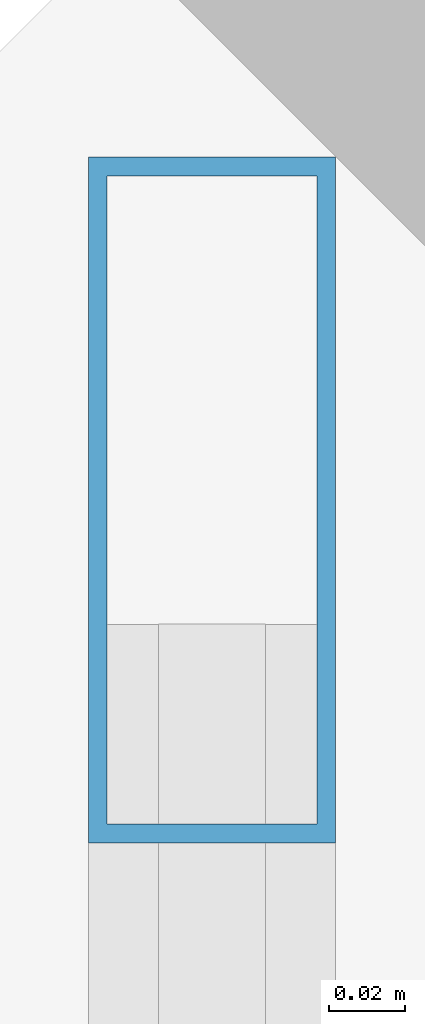
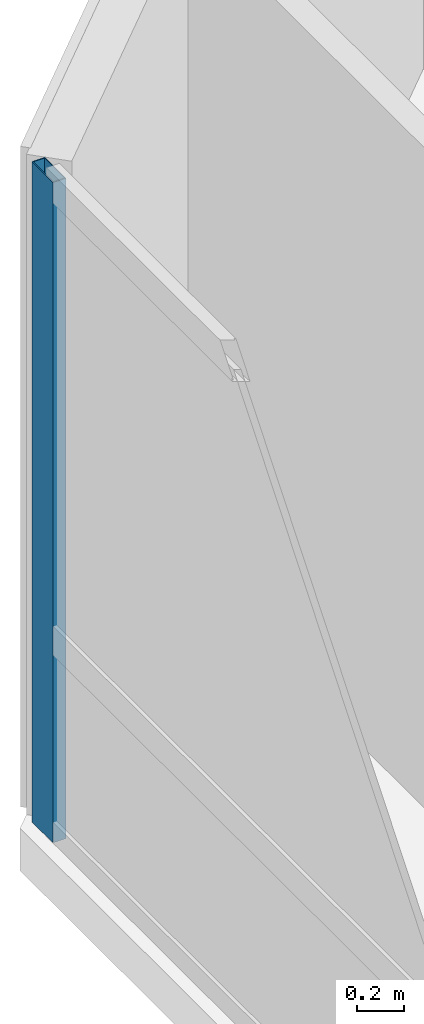
# One storey, part 5 of 18: 1 member, 1 element without a shape of its own.
"""IFC4 building model written with IfcOpenShell, lengths in metres."""

from ifc_helpers import new_model, si_unit, direction, frame, origin, origin_2d, place, context, subcontext, project, spatial, hollow_rectangle, extrude, material, material_profile, profile_set, type_object, element, aggregate, save


model = new_model("IFC4")

# Units and contexts
model_context = context("Model", 3, precision=1e-05, world=origin(), true_north=direction((0.0, 1.0)))
body_context = subcontext(model_context, "Body", "Model", "MODEL_VIEW")
ifc_project = project(units=[si_unit("LENGTHUNIT", "METRE"), si_unit("AREAUNIT", "SQUARE_METRE"), si_unit("VOLUMEUNIT", "CUBIC_METRE"), si_unit("PLANEANGLEUNIT", "RADIAN"), si_unit("MASSUNIT", "GRAM", prefix="KILO")], contexts=[model_context])

# Site, building, storey
site_placement = place(None, origin())
site = spatial("IfcSite", under=ifc_project, at=site_placement, CompositionType="ELEMENT")
building_placement = place(site_placement, origin())
building = spatial("IfcBuilding", under=site, at=building_placement, Name="Khamvora Tower", CompositionType="ELEMENT")
storey_placement = place(building_placement, frame((0.0, 0.0, 181.449951171875)))
storey = spatial("IfcBuildingStorey", under=building, at=storey_placement, Name="L46", CompositionType="ELEMENT", Elevation=181.449951171875)

# Curtain wall, member
ifc_material = material(Name="Anodised Aluminium 6063-T6", Category="aluminium")
curtain_wall_type = type_object("IfcCurtainWallType", Name="CW-SYS-04", PredefinedType="NOTDEFINED", material=ifc_material)
curtain_wall_placement = place(storey_placement, origin())
curtain_wall = element("IfcCurtainWall", 1, at=curtain_wall_placement, inside=storey, type_object=curtain_wall_type, Name="L46 stick curtain wall 05.1", PredefinedType="NOTDEFINED")
ifc_material_profile = material_profile(ifc_material, hollow_rectangle(XDim=0.06494140625, YDim=0.179931640625, WallThickness=0.0048828125, at=origin_2d()), Name="MUL65x180x5")
ifc_profile_set = profile_set([ifc_material_profile], Name="Anodised Aluminium 6063-T6")
member_type = type_object("IfcMemberType", Name="CW-SYS-04-MUL", PredefinedType="MULLION", material=ifc_profile_set)
member_placement = place(storey_placement, frame((14.89990234375, 42.526611328125, 0.0), z_axis=(0.0, 0.0, 1.0), x_axis=(-1.0, 0.0, 0.0)))
member = element("IfcMember", 2, at=member_placement, type_object=member_type, Name="CW-04 mullion 4", PredefinedType="MULLION", context=body_context, shape_type="SweptSolid", body=[
    extrude(hollow_rectangle(XDim=0.06494140625, YDim=0.179931640625, WallThickness=0.0048828125, at=origin_2d()), origin(), (0.0, 0.0, 1.0), 3.429931640625),
])
aggregate(curtain_wall, [member])

save(model, "model.ifc")
